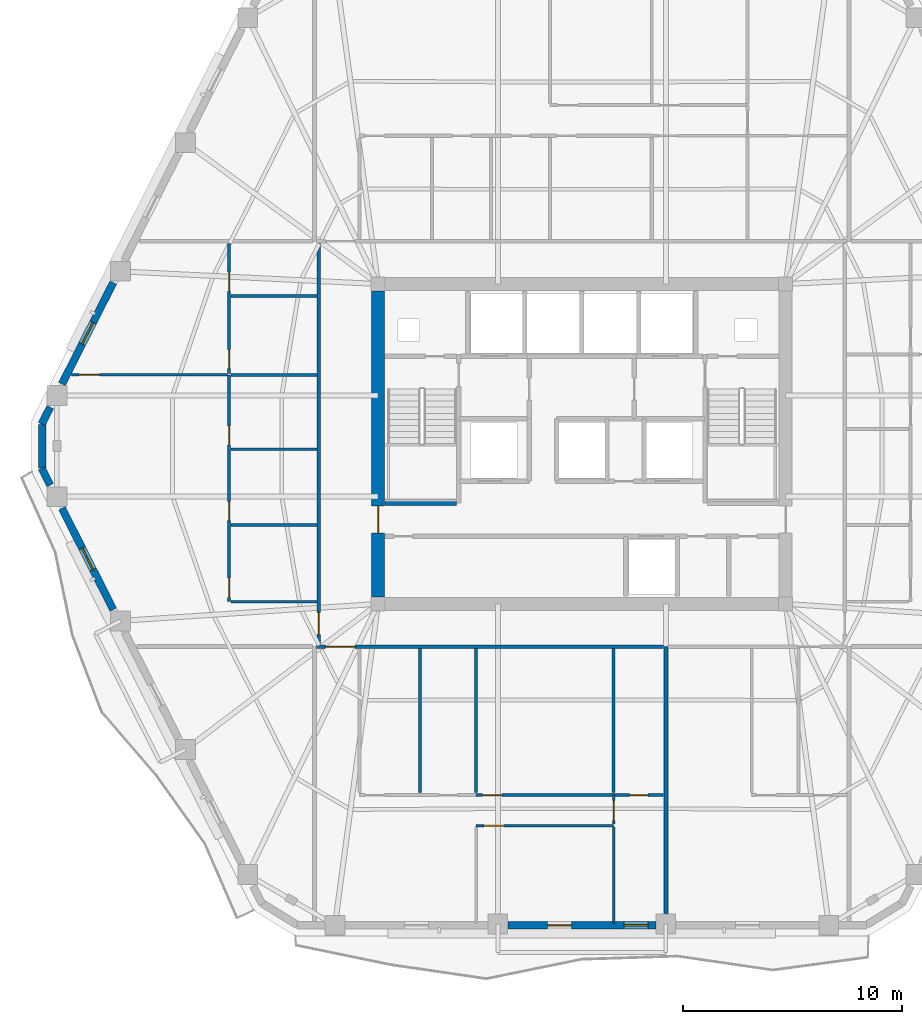
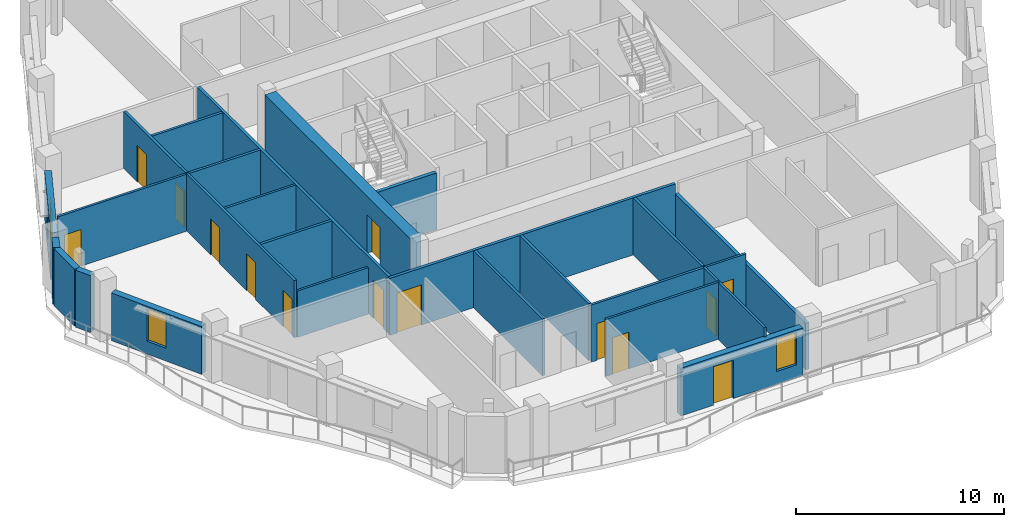
# One storey, part 4 of 12: 27 walls, 14 doors, 3 windows, 17 openings.
"""IFC4 building model written with IfcOpenShell, lengths in metres."""

from ifc_helpers import new_model, si_unit, direction, frame, frame_2d, origin, place, context, subcontext, project, spatial, rectangle, extrude, material, layer, layer_set, type_object, element, fill, save


model = new_model("IFC4")

# Units and contexts
model_context = context("Model", 3, precision=1e-05, world=origin(), true_north=direction((0.0, 1.0)))
body_context = subcontext(model_context, "Body", "Model", "MODEL_VIEW")
ifc_project = project(units=[si_unit("LENGTHUNIT", "METRE"), si_unit("AREAUNIT", "SQUARE_METRE"), si_unit("VOLUMEUNIT", "CUBIC_METRE"), si_unit("PLANEANGLEUNIT", "RADIAN"), si_unit("MASSUNIT", "GRAM", prefix="KILO")], contexts=[model_context])

# Site, building, storey
site_placement = place(None, origin())
site = spatial("IfcSite", under=ifc_project, at=site_placement, CompositionType="ELEMENT")
building_placement = place(site_placement, origin())
building = spatial("IfcBuilding", under=site, at=building_placement, Name="Cinnabar Lancet Tower", CompositionType="ELEMENT")
storey_placement = place(building_placement, frame((0.0, 0.0, 157.050048828125)))
storey = spatial("IfcBuildingStorey", under=building, at=storey_placement, Name="L41", CompositionType="ELEMENT", Elevation=157.050048828125)

# Wall, opening, door
ifc_material_1 = material(Name="Acoustic twin-stud gypsum partition", Category="gypsum")
ifc_layer_1 = layer(ifc_material_1, 0.159912109375)
ifc_layer_set_1 = layer_set([ifc_layer_1], Name="Acoustic twin-stud gypsum partition")
wall_type_1 = type_object("IfcWallType", Name="ARC-WL-CORR-160", PredefinedType="PARTITIONING", material=ifc_layer_set_1)
wall_1_placement = place(storey_placement, frame((20.294921875, 16.64990234375, 0.0), z_axis=(0.0, 0.0, 1.0), x_axis=(1.0, 0.0, 0.0)))
wall_1 = element("IfcWall", 1, at=wall_1_placement, inside=storey, type_object=wall_type_1, Name="L41 Unit S01 Corridor Wall", PredefinedType="PARTITIONING", context=body_context, shape_type="SweptSolid", body=[
    extrude(rectangle(XDim=15.842041015625, YDim=0.159912109375, at=frame_2d((7.9208984375, 0.0))), origin(), (0.0, 0.0, 1.0), 3.33984375),
])
opening_1_placement = place(wall_1_placement, frame((0.405029296875, 0.0, 0.0)))
opening_1 = element("IfcOpeningElement", 2, at=opening_1_placement, cuts=wall_1, Name="Opening UD-02", PredefinedType="OPENING", context=body_context, shape_type="SweptSolid", body=[
    extrude(rectangle(XDim=1.35009765625, YDim=2.35009765625, at=frame_2d((0.675048828125, 1.175048828125))), frame((0.0, 0.08984375, 0.0), z_axis=(0.0, -1.0, 0.0), x_axis=(1.0, 0.0, 0.0)), (0.0, 0.0, 1.0), 0.179931640625),
])
ifc_material_2 = material(Name="Double-leaf solid timber penthouse entrance door", Category="wood")
door_type_1 = type_object("IfcDoorType", Name="ARC-DR-UNIT-PH", OperationType="NOTDEFINED", PredefinedType="DOOR", material=ifc_material_2)
door_1_placement = place(opening_1_placement, origin())
door_1 = element("IfcDoor", 3, at=door_1_placement, inside=storey, type_object=door_type_1, Name="DR-L41-S01-ENT", OperationType="SINGLE_SWING_LEFT", OverallHeight=2.35009765625, OverallWidth=1.35009765625, PredefinedType="DOOR", context=body_context, shape_type="SweptSolid", body=[
    extrude(rectangle(XDim=1.35009765625, YDim=2.35009765625, at=frame_2d((0.675048828125, 1.175048828125))), frame((0.0, 0.02490234375, 0.0), z_axis=(0.0, -1.0, 0.0), x_axis=(1.0, 0.0, 0.0)), (0.0, 0.0, 1.0), 0.050048828125),
])
fill(opening_1, door_1)

wall_2_placement = place(storey_placement, frame((20.39990234375, 16.7451171875, 0.0), z_axis=(0.0, 0.0, 1.0), x_axis=(0.0, 1.0, 0.0)))
wall_2 = element("IfcWall", 4, at=wall_2_placement, inside=storey, type_object=wall_type_1, Name="UW-L41-W01-COR", PredefinedType="PARTITIONING", context=body_context, shape_type="SweptSolid", body=[
    extrude(rectangle(XDim=18.309814453125, YDim=0.159912109375, at=frame_2d((9.15478515625, 0.0))), origin(), (0.0, 0.0, 1.0), 3.33984375),
])
opening_2_placement = place(wall_2_placement, frame((0.449951171875, 0.0, 0.0)))
opening_2 = element("IfcOpeningElement", 5, at=opening_2_placement, cuts=wall_2, Name="Opening UD-01", PredefinedType="OPENING", context=body_context, shape_type="SweptSolid", body=[
    extrude(rectangle(XDim=1.02001953125, YDim=2.25, at=frame_2d((0.510009765625, 1.125))), frame((0.0, 0.08984375, 0.0), z_axis=(0.0, -1.0, 0.0), x_axis=(1.0, 0.0, 0.0)), (0.0, 0.0, 1.0), 0.179931640625),
])
ifc_material_3 = material(Name="Solid timber fire-rated apartment entrance door", Category="wood")
door_type_2 = type_object("IfcDoorType", Name="ARC-DR-UNIT", OperationType="NOTDEFINED", PredefinedType="DOOR", material=ifc_material_3)
door_2_placement = place(opening_2_placement, origin())
door_2 = element("IfcDoor", 6, at=door_2_placement, inside=storey, type_object=door_type_2, Name="DR-L41-W01-ENT", OperationType="SINGLE_SWING_LEFT", OverallHeight=2.25, OverallWidth=1.02001953125, PredefinedType="DOOR", context=body_context, shape_type="SweptSolid", body=[
    extrude(rectangle(XDim=1.02001953125, YDim=2.25, at=frame_2d((0.510009765625, 1.125))), frame((0.0, 0.02490234375, 0.0), z_axis=(0.0, -1.0, 0.0), x_axis=(1.0, 0.0, 0.0)), (0.0, 0.0, 1.0), 0.050048828125),
])
fill(opening_2, door_2)

# Walls
ifc_material_4 = material(Name="Fire-rated twin-frame acoustic drywall", Category="gypsum")
ifc_layer_2 = layer(ifc_material_4, 0.179931640625)
ifc_layer_set_2 = layer_set([ifc_layer_2], Name="Fire-rated twin-frame acoustic drywall")
wall_type_2 = type_object("IfcWallType", Name="ARC-WL-PARTY-180", PredefinedType="PARTITIONING", material=ifc_layer_set_2)
wall_3_placement = place(storey_placement, frame((36.23193359375, 4.10498046875, 0.0), z_axis=(0.0, 0.0, 1.0), x_axis=(0.0, 1.0, 0.0)))
element("IfcWall", 7, at=wall_3_placement, inside=storey, type_object=wall_type_2, Name="PW-L41-SPTY-362", PredefinedType="PARTITIONING", context=body_context, shape_type="SweptSolid", body=[
    extrude(rectangle(XDim=12.544921875, YDim=0.179931640625, at=frame_2d((6.2724609375, 0.0))), origin(), (0.0, 0.0, 1.0), 2.721923828125),
])
ifc_material_5 = material(Name="Autoclaved aerated concrete blockwork", Category="masonry")
ifc_layer_3 = layer(ifc_material_5, 0.199951171875)
ifc_layer_set_3 = layer_set([ifc_layer_3], Name="Autoclaved aerated concrete blockwork")
wall_type_3 = type_object("IfcWallType", Name="ARC-WL-SHAFT-200", PredefinedType="PLUMBINGWALL", material=ifc_layer_set_3)
wall_4_placement = place(storey_placement, frame((23.405029296875, 23.199951171875, 0.0), z_axis=(0.0, 0.0, 1.0), x_axis=(1.0, 0.0, 0.0)))
element("IfcWall", 8, at=wall_4_placement, inside=storey, type_object=wall_type_3, Name="CW-ST1S-L41", PredefinedType="PLUMBINGWALL", context=body_context, shape_type="SweptSolid", body=[
    extrude(rectangle(XDim=3.27001953125, YDim=0.199951171875, at=frame_2d((1.635009765625, 0.0))), origin(), (0.0, 0.0, 1.0), 3.33984375),
])

# Wall, opening, door
ifc_material_6 = material(Name="Gypsum plasterboard stud partition", Category="gypsum")
ifc_layer_4 = layer(ifc_material_6, 0.125)
ifc_layer_set_4 = layer_set([ifc_layer_4], Name="Gypsum plasterboard stud partition")
wall_type_4 = type_object("IfcWallType", Name="ARC-WL-UNIT-125", PredefinedType="PARTITIONING", material=ifc_layer_set_4)
wall_5_placement = place(storey_placement, frame((33.85009765625, 9.8759765625, 0.0), z_axis=(0.0, 0.0, 1.0), x_axis=(1.0, 0.0, 0.0)))
wall_5 = element("IfcWall", 9, at=wall_5_placement, inside=storey, type_object=wall_type_4, Name="UW-L41-S01-SP2", PredefinedType="PARTITIONING", context=body_context, shape_type="SweptSolid", body=[
    extrude(rectangle(XDim=2.286865234375, YDim=0.125, at=frame_2d((1.1435546875, 0.0))), origin(), (0.0, 0.0, 1.0), 3.33984375),
])
opening_3_placement = place(wall_5_placement, frame((0.718017578125, 0.0, 0.0)))
opening_3 = element("IfcOpeningElement", 10, at=opening_3_placement, cuts=wall_5, Name="Opening BD-01", PredefinedType="OPENING", context=body_context, shape_type="SweptSolid", body=[
    extrude(rectangle(XDim=0.860107421875, YDim=2.10009765625, at=frame_2d((0.43017578125, 1.050048828125))), frame((0.0, 0.072509765625, 0.0), z_axis=(0.0, -1.0, 0.0), x_axis=(1.0, 0.0, 0.0)), (0.0, 0.0, 1.0), 0.14501953125),
])
ifc_material_7 = material(Name="Moisture-resistant timber bathroom door", Category="wood")
door_type_3 = type_object("IfcDoorType", Name="ARC-DR-BATH", OperationType="NOTDEFINED", PredefinedType="DOOR", material=ifc_material_7)
door_3_placement = place(opening_3_placement, origin())
door_3 = element("IfcDoor", 11, at=door_3_placement, inside=storey, type_object=door_type_3, Name="DR-L41-S01-ENS", OperationType="SINGLE_SWING_LEFT", OverallHeight=2.10009765625, OverallWidth=0.860107421875, PredefinedType="DOOR", context=body_context, shape_type="SweptSolid", body=[
    extrude(rectangle(XDim=0.860107421875, YDim=2.10009765625, at=frame_2d((0.43017578125, 1.050048828125))), frame((0.0, 0.02490234375, 0.0), z_axis=(0.0, -1.0, 0.0), x_axis=(1.0, 0.0, 0.0)), (0.0, 0.0, 1.0), 0.050048828125),
])
fill(opening_3, door_3)

wall_6_placement = place(storey_placement, frame((27.574951171875, 8.47607421875, 0.0), z_axis=(0.0, 0.0, 1.0), x_axis=(1.0, 0.0, 0.0)))
wall_6 = element("IfcWall", 12, at=wall_6_placement, inside=storey, type_object=wall_type_4, Name="UW-L41-S01-HLN", PredefinedType="PARTITIONING", context=body_context, shape_type="SweptSolid", body=[
    extrude(rectangle(XDim=6.275146484375, YDim=0.125, at=frame_2d((3.1376953125, 0.0))), origin(), (0.0, 0.0, 1.0), 3.33984375),
])
opening_4_placement = place(wall_6_placement, frame((0.35009765625, 0.0, 0.0)))
opening_4 = element("IfcOpeningElement", 13, at=opening_4_placement, cuts=wall_6, Name="Opening RD-01", PredefinedType="OPENING", context=body_context, shape_type="SweptSolid", body=[
    extrude(rectangle(XDim=0.919921875, YDim=2.14990234375, at=frame_2d((0.4599609375, 1.074951171875))), frame((0.0, 0.072509765625, 0.0), z_axis=(0.0, -1.0, 0.0), x_axis=(1.0, 0.0, 0.0)), (0.0, 0.0, 1.0), 0.14501953125),
])
ifc_material_8 = material(Name="Engineered timber bedroom door", Category="wood")
door_type_4 = type_object("IfcDoorType", Name="ARC-DR-ROOM", OperationType="NOTDEFINED", PredefinedType="DOOR", material=ifc_material_8)
door_4_placement = place(opening_4_placement, origin())
door_4 = element("IfcDoor", 14, at=door_4_placement, inside=storey, type_object=door_type_4, Name="DR-L41-S01-BD2", OperationType="SINGLE_SWING_RIGHT", OverallHeight=2.14990234375, OverallWidth=0.919921875, PredefinedType="DOOR", context=body_context, shape_type="SweptSolid", body=[
    extrude(rectangle(XDim=0.919921875, YDim=2.14990234375, at=frame_2d((0.4599609375, 1.074951171875))), frame((0.0, 0.02490234375, 0.0), z_axis=(0.0, -1.0, 0.0), x_axis=(1.0, 0.0, 0.0)), (0.0, 0.0, 1.0), 0.050048828125),
])
fill(opening_4, door_4)

wall_7_placement = place(storey_placement, frame((33.85009765625, 8.5458984375, 0.0), z_axis=(0.0, 0.0, 1.0), x_axis=(0.0, 1.0, 0.0)))
wall_7 = element("IfcWall", 15, at=wall_7_placement, inside=storey, type_object=wall_type_4, Name="UW-L41-S01-MBE", PredefinedType="PARTITIONING", context=body_context, shape_type="SweptSolid", body=[
    extrude(rectangle(XDim=1.330078125, YDim=0.125, at=frame_2d((0.6650390625, 0.0))), origin(), (0.0, 0.0, 1.0), 3.33984375),
])
opening_5_placement = place(wall_7_placement, frame((0.159912109375, 0.0, 0.0)))
opening_5 = element("IfcOpeningElement", 16, at=opening_5_placement, cuts=wall_7, Name="Opening RD-01", PredefinedType="OPENING", context=body_context, shape_type="SweptSolid", body=[
    extrude(rectangle(XDim=0.919921875, YDim=2.14990234375, at=frame_2d((0.4599609375, 1.074951171875))), frame((0.0, 0.072509765625, 0.0), z_axis=(0.0, -1.0, 0.0), x_axis=(1.0, 0.0, 0.0)), (0.0, 0.0, 1.0), 0.14501953125),
])
door_5_placement = place(opening_5_placement, origin())
door_5 = element("IfcDoor", 17, at=door_5_placement, inside=storey, type_object=door_type_4, Name="DR-L41-S01-MBD", OperationType="SINGLE_SWING_RIGHT", OverallHeight=2.14990234375, OverallWidth=0.919921875, PredefinedType="DOOR", context=body_context, shape_type="SweptSolid", body=[
    extrude(rectangle(XDim=0.919921875, YDim=2.14990234375, at=frame_2d((0.4599609375, 1.074951171875))), frame((0.0, 0.02490234375, 0.0), z_axis=(0.0, -1.0, 0.0), x_axis=(1.0, 0.0, 0.0)), (0.0, 0.0, 1.0), 0.050048828125),
])
fill(opening_5, door_5)

# Walls
wall_8_placement = place(storey_placement, frame((33.85009765625, 4.014892578125, 0.0), z_axis=(0.0, 0.0, 1.0), x_axis=(0.0, 1.0, 0.0)))
element("IfcWall", 18, at=wall_8_placement, inside=storey, type_object=wall_type_4, Name="UW-L41-S01-MB2W", PredefinedType="PARTITIONING", context=body_context, shape_type="SweptSolid", body=[
    extrude(rectangle(XDim=4.39599609375, YDim=0.125, at=frame_2d((2.197998046875, 0.0))), origin(), (0.0, 0.0, 1.0), 3.33984375),
])
wall_9_placement = place(storey_placement, frame((16.385009765625, 18.699951171875, 0.0), z_axis=(0.0, 0.0, 1.0), x_axis=(1.0, 0.0, 0.0)))
element("IfcWall", 19, at=wall_9_placement, inside=storey, type_object=wall_type_4, Name="UW-L41-W01-FOYN", PredefinedType="PARTITIONING", context=body_context, shape_type="SweptSolid", body=[
    extrude(rectangle(XDim=3.929931640625, YDim=0.125, at=frame_2d((1.96484375, 0.0))), origin(), (0.0, 0.0, 1.0), 2.721923828125),
])

# Wall, opening, door
wall_10_placement = place(storey_placement, frame((9.111083984375, 29.054931640625, 0.0), z_axis=(0.0, 0.0, 1.0), x_axis=(1.0, 0.0, 0.0)))
wall_10 = element("IfcWall", 20, at=wall_10_placement, inside=storey, type_object=wall_type_4, Name="UW-L41-W01-MBN", PredefinedType="PARTITIONING", context=body_context, shape_type="SweptSolid", body=[
    extrude(rectangle(XDim=7.114013671875, YDim=0.125, at=frame_2d((3.55712890625, 0.0))), origin(), (0.0, 0.0, 1.0), 3.33984375),
])
opening_6_placement = place(wall_10_placement, frame((0.35009765625, 0.0, 0.0)))
opening_6 = element("IfcOpeningElement", 21, at=opening_6_placement, cuts=wall_10, Name="Opening RD-01", PredefinedType="OPENING", context=body_context, shape_type="SweptSolid", body=[
    extrude(rectangle(XDim=0.919921875, YDim=2.14990234375, at=frame_2d((0.4599609375, 1.074951171875))), frame((0.0, 0.072509765625, 0.0), z_axis=(0.0, -1.0, 0.0), x_axis=(1.0, 0.0, 0.0)), (0.0, 0.0, 1.0), 0.14501953125),
])
door_6_placement = place(opening_6_placement, origin())
door_6 = element("IfcDoor", 22, at=door_6_placement, inside=storey, type_object=door_type_4, Name="DR-L41-W01-MBD", OperationType="SINGLE_SWING_LEFT", OverallHeight=2.14990234375, OverallWidth=0.919921875, PredefinedType="DOOR", context=body_context, shape_type="SweptSolid", body=[
    extrude(rectangle(XDim=0.919921875, YDim=2.14990234375, at=frame_2d((0.4599609375, 1.074951171875))), frame((0.0, 0.02490234375, 0.0), z_axis=(0.0, -1.0, 0.0), x_axis=(1.0, 0.0, 0.0)), (0.0, 0.0, 1.0), 0.050048828125),
])
fill(opening_6, door_6)

# Wall
wall_11_placement = place(storey_placement, frame((16.385009765625, 25.655029296875, 0.0), z_axis=(0.0, 0.0, 1.0), x_axis=(1.0, 0.0, 0.0)))
element("IfcWall", 23, at=wall_11_placement, inside=storey, type_object=wall_type_4, Name="UW-L41-W01-UDV", PredefinedType="PARTITIONING", context=body_context, shape_type="SweptSolid", body=[
    extrude(rectangle(XDim=3.929931640625, YDim=0.125, at=frame_2d((1.96484375, 0.0))), origin(), (0.0, 0.0, 1.0), 3.33984375),
])

# Wall, opening, door
ifc_material_9 = material(Name="Moisture-resistant cement-board plumbing wall", Category="masonry")
ifc_layer_5 = layer(ifc_material_9, 0.139892578125)
ifc_layer_set_5 = layer_set([ifc_layer_5], Name="Moisture-resistant cement-board plumbing wall")
wall_type_5 = type_object("IfcWallType", Name="ARC-WL-WET-140", PredefinedType="PLUMBINGWALL", material=ifc_layer_set_5)
wall_12_placement = place(storey_placement, frame((27.574951171875, 9.8759765625, 0.0), z_axis=(0.0, 0.0, 1.0), x_axis=(1.0, 0.0, 0.0)))
wall_12 = element("IfcWall", 24, at=wall_12_placement, inside=storey, type_object=wall_type_5, Name="UW-L41-S01-SPM", PredefinedType="PLUMBINGWALL", context=body_context, shape_type="SweptSolid", body=[
    extrude(rectangle(XDim=6.275146484375, YDim=0.139892578125, at=frame_2d((3.1376953125, 0.0))), origin(), (0.0, 0.0, 1.0), 3.33984375),
])
opening_7_placement = place(wall_12_placement, frame((0.300048828125, 0.0, 0.0)))
opening_7 = element("IfcOpeningElement", 25, at=opening_7_placement, cuts=wall_12, Name="Opening RD-02", PredefinedType="OPENING", context=body_context, shape_type="SweptSolid", body=[
    extrude(rectangle(XDim=0.8798828125, YDim=2.14990234375, at=frame_2d((0.43994140625, 1.074951171875))), frame((0.0, 0.079833984375, 0.0), z_axis=(0.0, -1.0, 0.0), x_axis=(1.0, 0.0, 0.0)), (0.0, 0.0, 1.0), 0.159912109375),
])
ifc_material_10 = material(Name="Engineered timber study door", Category="wood")
door_type_5 = type_object("IfcDoorType", Name="ARC-DR-STUDY", OperationType="NOTDEFINED", PredefinedType="DOOR", material=ifc_material_10)
door_7_placement = place(opening_7_placement, origin())
door_7 = element("IfcDoor", 26, at=door_7_placement, inside=storey, type_object=door_type_5, Name="DR-L41-S01-UTL", OperationType="SINGLE_SWING_LEFT", OverallHeight=2.14990234375, OverallWidth=0.8798828125, PredefinedType="DOOR", context=body_context, shape_type="SweptSolid", body=[
    extrude(rectangle(XDim=0.8798828125, YDim=2.14990234375, at=frame_2d((0.43994140625, 1.074951171875))), frame((0.0, 0.02490234375, 0.0), z_axis=(0.0, -1.0, 0.0), x_axis=(1.0, 0.0, 0.0)), (0.0, 0.0, 1.0), 0.050048828125),
])
fill(opening_7, door_7)

# Walls
for number, where, z_axis, x_axis, name in (
    (27, (25.01904296875, 9.98095703125, 0.0), (0.0, 0.0, 1.0), (0.0, 1.0, 0.0), "UW-L41-S01-KDV"),
    (28, (27.574951171875, 9.98095703125, 0.0), (0.0, 0.0, 1.0), (0.0, 1.0, 0.0), "UW-L41-S01-ENSW"),
    (29, (33.85009765625, 9.98095703125, 0.0), (0.0, 0.0, 1.0), (0.0, 1.0, 0.0), "UW-L41-S01-ENSE"),
):
    element("IfcWall", number, at=place(storey_placement, frame(where, z_axis=z_axis, x_axis=x_axis)), inside=storey, type_object=wall_type_5, Name=name, PredefinedType="PLUMBINGWALL", context=body_context, shape_type="SweptSolid", body=[
        extrude(rectangle(XDim=6.583984375, YDim=0.139892578125, at=frame_2d((3.2919921875, 0.0))), origin(), (0.0, 0.0, 1.0), 3.33984375),
    ])

# Wall, openings, doors
wall_13_placement = place(storey_placement, frame((16.300048828125, 18.699951171875, 0.0), z_axis=(0.0, 0.0, 1.0), x_axis=(0.0, 1.0, 0.0)))
wall_13 = element("IfcWall", 30, at=wall_13_placement, inside=storey, type_object=wall_type_5, Name="UW-L41-W01-SPL", PredefinedType="PLUMBINGWALL", context=body_context, shape_type="SweptSolid", body=[
    extrude(rectangle(XDim=10.35498046875, YDim=0.139892578125, at=frame_2d((5.177490234375, 0.0))), origin(), (0.0, 0.0, 1.0), 3.33984375),
])
opening_8_placement = place(wall_13_placement, frame((0.199951171875, 0.0, 0.0)))
opening_8 = element("IfcOpeningElement", 31, at=opening_8_placement, cuts=wall_13, Name="Opening RD-02", PredefinedType="OPENING", context=body_context, shape_type="SweptSolid", body=[
    extrude(rectangle(XDim=0.8798828125, YDim=2.14990234375, at=frame_2d((0.43994140625, 1.074951171875))), frame((0.0, 0.079833984375, 0.0), z_axis=(0.0, -1.0, 0.0), x_axis=(1.0, 0.0, 0.0)), (0.0, 0.0, 1.0), 0.159912109375),
])
opening_9_placement = place(wall_13_placement, frame((3.699951171875, 0.0, 0.0)))
opening_9 = element("IfcOpeningElement", 32, at=opening_9_placement, cuts=wall_13, Name="Opening RD-02", PredefinedType="OPENING", context=body_context, shape_type="SweptSolid", body=[
    extrude(rectangle(XDim=0.8798828125, YDim=2.14990234375, at=frame_2d((0.43994140625, 1.074951171875))), frame((0.0, 0.079833984375, 0.0), z_axis=(0.0, -1.0, 0.0), x_axis=(1.0, 0.0, 0.0)), (0.0, 0.0, 1.0), 0.159912109375),
])
opening_10_placement = place(wall_13_placement, frame((7.155029296875, 0.0, 0.0)))
opening_10 = element("IfcOpeningElement", 33, at=opening_10_placement, cuts=wall_13, Name="Opening BD-01", PredefinedType="OPENING", context=body_context, shape_type="SweptSolid", body=[
    extrude(rectangle(XDim=0.860107421875, YDim=2.10009765625, at=frame_2d((0.43017578125, 1.050048828125))), frame((0.0, 0.079833984375, 0.0), z_axis=(0.0, -1.0, 0.0), x_axis=(1.0, 0.0, 0.0)), (0.0, 0.0, 1.0), 0.159912109375),
])
door_8_placement = place(opening_10_placement, origin())
door_8 = element("IfcDoor", 34, at=door_8_placement, inside=storey, type_object=door_type_3, Name="DR-L41-W01-BTH", OperationType="SINGLE_SWING_RIGHT", OverallHeight=2.10009765625, OverallWidth=0.860107421875, PredefinedType="DOOR", context=body_context, shape_type="SweptSolid", body=[
    extrude(rectangle(XDim=0.860107421875, YDim=2.10009765625, at=frame_2d((0.43017578125, 1.050048828125))), frame((0.0, 0.02490234375, 0.0), z_axis=(0.0, -1.0, 0.0), x_axis=(1.0, 0.0, 0.0)), (0.0, 0.0, 1.0), 0.050048828125),
])
fill(opening_10, door_8)
door_9_placement = place(opening_8_placement, origin())
door_9 = element("IfcDoor", 35, at=door_9_placement, inside=storey, type_object=door_type_5, Name="DR-L41-W01-KIT", OperationType="SINGLE_SWING_RIGHT", OverallHeight=2.14990234375, OverallWidth=0.8798828125, PredefinedType="DOOR", context=body_context, shape_type="SweptSolid", body=[
    extrude(rectangle(XDim=0.8798828125, YDim=2.14990234375, at=frame_2d((0.43994140625, 1.074951171875))), frame((0.0, 0.02490234375, 0.0), z_axis=(0.0, -1.0, 0.0), x_axis=(1.0, 0.0, 0.0)), (0.0, 0.0, 1.0), 0.050048828125),
])
fill(opening_8, door_9)
door_10_placement = place(opening_9_placement, origin())
door_10 = element("IfcDoor", 36, at=door_10_placement, inside=storey, type_object=door_type_5, Name="DR-L41-W01-UTL", OperationType="SINGLE_SWING_LEFT", OverallHeight=2.14990234375, OverallWidth=0.8798828125, PredefinedType="DOOR", context=body_context, shape_type="SweptSolid", body=[
    extrude(rectangle(XDim=0.8798828125, YDim=2.14990234375, at=frame_2d((0.43994140625, 1.074951171875))), frame((0.0, 0.02490234375, 0.0), z_axis=(0.0, -1.0, 0.0), x_axis=(1.0, 0.0, 0.0)), (0.0, 0.0, 1.0), 0.050048828125),
])
fill(opening_9, door_10)

wall_14_placement = place(storey_placement, frame((16.300048828125, 29.125, 0.0), z_axis=(0.0, 0.0, 1.0), x_axis=(0.0, 1.0, 0.0)))
wall_14 = element("IfcWall", 37, at=wall_14_placement, inside=storey, type_object=wall_type_5, Name="UW-L41-W01-SPM", PredefinedType="PLUMBINGWALL", context=body_context, shape_type="SweptSolid", body=[
    extrude(rectangle(XDim=5.929931640625, YDim=0.139892578125, at=frame_2d((2.96484375, 0.0))), origin(), (0.0, 0.0, 1.0), 3.33984375),
])
opening_11_placement = place(wall_14_placement, frame((0.219970703125, 0.0, 0.0)))
opening_11 = element("IfcOpeningElement", 38, at=opening_11_placement, cuts=wall_14, Name="Opening BD-01", PredefinedType="OPENING", context=body_context, shape_type="SweptSolid", body=[
    extrude(rectangle(XDim=0.860107421875, YDim=2.10009765625, at=frame_2d((0.43017578125, 1.050048828125))), frame((0.0, 0.079833984375, 0.0), z_axis=(0.0, -1.0, 0.0), x_axis=(1.0, 0.0, 0.0)), (0.0, 0.0, 1.0), 0.159912109375),
])
opening_12_placement = place(wall_14_placement, frame((3.739990234375, 0.0, 0.0)))
opening_12 = element("IfcOpeningElement", 39, at=opening_12_placement, cuts=wall_14, Name="Opening RD-02", PredefinedType="OPENING", context=body_context, shape_type="SweptSolid", body=[
    extrude(rectangle(XDim=0.8798828125, YDim=2.14990234375, at=frame_2d((0.43994140625, 1.074951171875))), frame((0.0, 0.079833984375, 0.0), z_axis=(0.0, -1.0, 0.0), x_axis=(1.0, 0.0, 0.0)), (0.0, 0.0, 1.0), 0.159912109375),
])
door_11_placement = place(opening_11_placement, origin())
door_11 = element("IfcDoor", 40, at=door_11_placement, inside=storey, type_object=door_type_3, Name="DR-L41-W01-ENS", OperationType="SINGLE_SWING_LEFT", OverallHeight=2.10009765625, OverallWidth=0.860107421875, PredefinedType="DOOR", context=body_context, shape_type="SweptSolid", body=[
    extrude(rectangle(XDim=0.860107421875, YDim=2.10009765625, at=frame_2d((0.43017578125, 1.050048828125))), frame((0.0, 0.02490234375, 0.0), z_axis=(0.0, -1.0, 0.0), x_axis=(1.0, 0.0, 0.0)), (0.0, 0.0, 1.0), 0.050048828125),
])
fill(opening_11, door_11)
door_12_placement = place(opening_12_placement, origin())
door_12 = element("IfcDoor", 41, at=door_12_placement, inside=storey, type_object=door_type_5, Name="DR-L41-W01-EWDR", OperationType="SINGLE_SWING_RIGHT", OverallHeight=2.14990234375, OverallWidth=0.8798828125, PredefinedType="DOOR", context=body_context, shape_type="SweptSolid", body=[
    extrude(rectangle(XDim=0.8798828125, YDim=2.14990234375, at=frame_2d((0.43994140625, 1.074951171875))), frame((0.0, 0.02490234375, 0.0), z_axis=(0.0, -1.0, 0.0), x_axis=(1.0, 0.0, 0.0)), (0.0, 0.0, 1.0), 0.050048828125),
])
fill(opening_12, door_12)

# Walls
for number, where, z_axis, x_axis, name in (
    (42, (16.385009765625, 29.054931640625, 0.0), (0.0, 0.0, 1.0), (1.0, 0.0, 0.0), "UW-L41-W01-ENSN"),
    (43, (16.385009765625, 22.199951171875, 0.0), (0.0, 0.0, 1.0), (1.0, 0.0, 0.0), "UW-L41-W01-KDV"),
    (44, (16.385009765625, 32.64501953125, 0.0), (0.0, 0.0, 1.0), (1.0, 0.0, 0.0), "UW-L41-W01-EWDV"),
):
    element("IfcWall", number, at=place(storey_placement, frame(where, z_axis=z_axis, x_axis=x_axis)), inside=storey, type_object=wall_type_5, Name=name, PredefinedType="PLUMBINGWALL", context=body_context, shape_type="SweptSolid", body=[
        extrude(rectangle(XDim=3.929931640625, YDim=0.139892578125, at=frame_2d((1.96484375, 0.0))), origin(), (0.0, 0.0, 1.0), 3.33984375),
    ])
ifc_material_11 = material(Name="Cinnabar red clay brick", Category="masonry")
ifc_layer_6 = layer(ifc_material_11, 0.340087890625)
ifc_layer_set_6 = layer_set([ifc_layer_6], Name="Cinnabar red clay brick")
wall_type_6 = type_object("IfcWallType", Name="ENV-WL-BRK-RED-340", PredefinedType="STANDARD", material=ifc_layer_set_6)
wall_15_placement = place(storey_placement, frame((7.76708984375, 26.797119140625, 0.0), z_axis=(0.0, 0.0, 1.0), x_axis=(0.0, -1.0, 0.0)))
element("IfcWall", 45, at=wall_15_placement, inside=storey, type_object=wall_type_6, Name="L41 Chamfered Corner Brick Pier 6.1", PredefinedType="STANDARD", context=body_context, shape_type="SweptSolid", body=[
    extrude(rectangle(XDim=1.994140625, YDim=0.340087890625, at=frame_2d((0.9970703125, 0.0))), origin(), (0.0, 0.0, 1.0), 3.33984375),
])

# Wall, openings, door, window
wall_16_placement = place(storey_placement, frame((29.02197265625, 3.929931640625, 0.0), z_axis=(0.0, 0.0, 1.0), x_axis=(1.0, 0.0, 0.0)))
wall_16 = element("IfcWall", 46, at=wall_16_placement, inside=storey, type_object=wall_type_6, Name="L41 Face 1 Masonry Bay Wall 3", PredefinedType="STANDARD", context=body_context, shape_type="SweptSolid", body=[
    extrude(rectangle(XDim=6.756103515625, YDim=0.340087890625, at=frame_2d((3.3779296875, 0.0))), origin(), (0.0, 0.0, 1.0), 2.796875),
])
opening_13_placement = place(wall_16_placement, frame((1.81298828125, 0.0, 0.0)))
opening_13 = element("IfcOpeningElement", 47, at=opening_13_placement, cuts=wall_16, Name="Opening TD-01", PredefinedType="OPENING", context=body_context, shape_type="SweptSolid", body=[
    extrude(rectangle(XDim=1.10009765625, YDim=2.25, at=frame_2d((0.550048828125, 1.125))), frame((0.0, 0.179931640625, 0.0), z_axis=(0.0, -1.0, 0.0), x_axis=(1.0, 0.0, 0.0)), (0.0, 0.0, 1.0), 0.360107421875),
])
opening_14_placement = place(wall_16_placement, frame((5.298095703125, 0.0, 0.75)))
opening_14 = element("IfcOpeningElement", 48, at=opening_14_placement, cuts=wall_16, Name="Opening WN-04", PredefinedType="OPENING", context=body_context, shape_type="SweptSolid", body=[
    extrude(rectangle(XDim=1.10009765625, YDim=1.89697265625, at=frame_2d((0.550048828125, 0.948486328125))), frame((0.0, 0.179931640625, 0.0), z_axis=(0.0, -1.0, 0.0), x_axis=(1.0, 0.0, 0.0)), (0.0, 0.0, 1.0), 0.360107421875),
])
ifc_material_12 = material(Name="Thermally broken low-E glazed balcony terrace door", Category="wood")
door_type_6 = type_object("IfcDoorType", Name="ARC-DR-BALC", OperationType="NOTDEFINED", PredefinedType="DOOR", material=ifc_material_12)
door_13_placement = place(opening_13_placement, origin())
door_13 = element("IfcDoor", 49, at=door_13_placement, inside=storey, type_object=door_type_6, Name="L41 Face 1 Glazed Terrace Door", OperationType="SINGLE_SWING_LEFT", OverallHeight=2.25, OverallWidth=1.10009765625, PredefinedType="DOOR", context=body_context, shape_type="SweptSolid", body=[
    extrude(rectangle(XDim=1.10009765625, YDim=2.25, at=frame_2d((0.550048828125, 1.125))), frame((0.0, 0.02490234375, 0.0), z_axis=(0.0, -1.0, 0.0), x_axis=(1.0, 0.0, 0.0)), (0.0, 0.0, 1.0), 0.050048828125),
])
fill(opening_13, door_13)
ifc_material_13 = material(Name="Thermally broken bronze-anodized aluminium tall lancet window", Category="aluminium")
window_type = type_object("IfcWindowType", Name="ENV-WN-LANCET-1100", PartitioningType="SINGLE_PANEL", PredefinedType="WINDOW", material=ifc_material_13)
window_1_placement = place(opening_14_placement, origin())
window_1 = element("IfcWindow", 50, at=window_1_placement, inside=storey, type_object=window_type, Name="L41 Split-Bay Gothic Lancet Window 116", OverallHeight=1.89697265625, OverallWidth=1.10009765625, PartitioningType="SINGLE_PANEL", PredefinedType="WINDOW", context=body_context, shape_type="SweptSolid", body=[
    extrude(rectangle(XDim=1.10009765625, YDim=1.89697265625, at=frame_2d((0.550048828125, 0.948486328125))), frame((0.0, 0.030029296875, 0.0), z_axis=(0.0, -1.0, 0.0), x_axis=(1.0, 0.0, 0.0)), (0.0, 0.0, 1.0), 0.06005859375),
])
fill(opening_14, window_1)

# Wall, opening, window
wall_17_placement = place(storey_placement, frame((11.013916015625, 33.261962890625, 0.0), z_axis=(0.0, 0.0, 1.0), x_axis=(-0.451506699894, -0.892267728852, 0.0)))
wall_17 = element("IfcWall", 51, at=wall_17_placement, inside=storey, type_object=wall_type_6, Name="L41 Face 5 Masonry Bay Wall 4", PredefinedType="STANDARD", context=body_context, shape_type="SweptSolid", body=[
    extrude(rectangle(XDim=5.18017578125, YDim=0.340087890625, at=frame_2d((2.590087890625, 0.0))), origin(), (0.0, 0.0, 1.0), 2.796875),
])
opening_15_placement = place(wall_17_placement, frame((2.0400390625, 0.0, 0.75)))
opening_15 = element("IfcOpeningElement", 52, at=opening_15_placement, cuts=wall_17, Name="Opening WN-04", PredefinedType="OPENING", context=body_context, shape_type="SweptSolid", body=[
    extrude(rectangle(XDim=1.10009765625, YDim=1.89697265625, at=frame_2d((0.550048828125, 0.948486328125))), frame((0.0, 0.179931640625, 0.0), z_axis=(0.0, -1.0, 0.0), x_axis=(1.0, 0.0, 0.0)), (0.0, 0.0, 1.0), 0.360107421875),
])
window_2_placement = place(opening_15_placement, origin())
window_2 = element("IfcWindow", 53, at=window_2_placement, inside=storey, type_object=window_type, Name="L41 Face 5 Gothic Lancet Window 4", OverallHeight=1.89697265625, OverallWidth=1.10009765625, PartitioningType="SINGLE_PANEL", PredefinedType="WINDOW", context=body_context, shape_type="SweptSolid", body=[
    extrude(rectangle(XDim=1.10009765625, YDim=1.89697265625, at=frame_2d((0.550048828125, 0.948486328125))), frame((0.0, 0.030029296875, 0.0), z_axis=(0.0, -1.0, 0.0), x_axis=(1.0, 0.0, 0.0)), (0.0, 0.0, 1.0), 0.06005859375),
])
fill(opening_15, window_2)

# Walls
wall_18_placement = place(storey_placement, frame((8.138916015625, 27.580078125, 0.0), z_axis=(0.0, 0.0, 1.0), x_axis=(-0.451586578297, -0.892227304168, 0.0)))
element("IfcWall", 54, at=wall_18_placement, inside=storey, type_object=wall_type_6, Name="L41 Face 5 Masonry Bay Wall 5", PredefinedType="STANDARD", context=body_context, shape_type="SweptSolid", body=[
    extrude(rectangle(XDim=0.869873046875, YDim=0.340087890625, at=frame_2d((0.43505859375, 0.0))), origin(), (0.0, 0.0, 1.0), 3.33984375),
])
wall_19_placement = place(storey_placement, frame((7.74609375, 24.7958984375, 0.0), z_axis=(0.0, 0.0, 1.0), x_axis=(0.451699687084, -0.892170046957, 0.0)))
element("IfcWall", 55, at=wall_19_placement, inside=storey, type_object=wall_type_6, Name="L41 Face 6 Masonry Bay Wall 1", PredefinedType="STANDARD", context=body_context, shape_type="SweptSolid", body=[
    extrude(rectangle(XDim=0.86962890625, YDim=0.340087890625, at=frame_2d((0.434814453125, 0.0))), origin(), (0.0, 0.0, 1.0), 3.33984375),
])

# Wall, opening, window
wall_20_placement = place(storey_placement, frame((8.675048828125, 22.9599609375, 0.0), z_axis=(0.0, 0.0, 1.0), x_axis=(0.451506699894, -0.892267728852, 0.0)))
wall_20 = element("IfcWall", 56, at=wall_20_placement, inside=storey, type_object=wall_type_6, Name="L41 Face 6 Masonry Bay Wall 2", PredefinedType="STANDARD", context=body_context, shape_type="SweptSolid", body=[
    extrude(rectangle(XDim=5.18017578125, YDim=0.340087890625, at=frame_2d((2.590087890625, 0.0))), origin(), (0.0, 0.0, 1.0), 2.796875),
])
opening_16_placement = place(wall_20_placement, frame((2.0400390625, 0.0, 0.75)))
opening_16 = element("IfcOpeningElement", 57, at=opening_16_placement, cuts=wall_20, Name="Opening WN-04", PredefinedType="OPENING", context=body_context, shape_type="SweptSolid", body=[
    extrude(rectangle(XDim=1.10009765625, YDim=1.89697265625, at=frame_2d((0.550048828125, 0.948486328125))), frame((0.0, 0.179931640625, 0.0), z_axis=(0.0, -1.0, 0.0), x_axis=(1.0, 0.0, 0.0)), (0.0, 0.0, 1.0), 0.360107421875),
])
window_3_placement = place(opening_16_placement, origin())
window_3 = element("IfcWindow", 58, at=window_3_placement, inside=storey, type_object=window_type, Name="L41 Face 6 Gothic Lancet Window 2", OverallHeight=1.89697265625, OverallWidth=1.10009765625, PartitioningType="SINGLE_PANEL", PredefinedType="WINDOW", context=body_context, shape_type="SweptSolid", body=[
    extrude(rectangle(XDim=1.10009765625, YDim=1.89697265625, at=frame_2d((0.550048828125, 0.948486328125))), frame((0.0, 0.030029296875, 0.0), z_axis=(0.0, -1.0, 0.0), x_axis=(1.0, 0.0, 0.0)), (0.0, 0.0, 1.0), 0.06005859375),
])
fill(opening_16, window_3)

# Wall, opening, door
ifc_material_14 = material(Name="Concrete C60/75", Category="concrete")
ifc_layer_7 = layer(ifc_material_14, 0.60009765625)
ifc_layer_set_7 = layer_set([ifc_layer_7], Name="Concrete C60/75")
wall_type_7 = type_object("IfcWallType", Name="STR-WL-CORE-600", PredefinedType="SHEAR", material=ifc_layer_set_7)
wall_21_placement = place(storey_placement, frame((23.10009765625, 18.925048828125, 0.0), z_axis=(0.0, 0.0, 1.0), x_axis=(0.0, 1.0, 0.0)))
wall_21 = element("IfcWall", 59, at=wall_21_placement, inside=storey, type_object=wall_type_7, Name="L41 Core Shear Wall W", PredefinedType="SHEAR", context=body_context, shape_type="SweptSolid", body=[
    extrude(rectangle(XDim=13.949951171875, YDim=0.60009765625, at=frame_2d((6.97509765625, 0.0))), origin(), (0.0, 0.0, 1.0), 3.33984375),
])
opening_17_placement = place(wall_21_placement, frame((2.9150390625, 0.0, 0.0)))
opening_17 = element("IfcOpeningElement", 60, at=opening_17_placement, cuts=wall_21, Name="Opening FD-02", PredefinedType="OPENING", context=body_context, shape_type="SweptSolid", body=[
    extrude(rectangle(XDim=1.219970703125, YDim=2.25, at=frame_2d((0.60986328125, 1.125))), frame((0.0, 0.31005859375, 0.0), z_axis=(0.0, -1.0, 0.0), x_axis=(1.0, 0.0, 0.0)), (0.0, 0.0, 1.0), 0.6201171875),
])
ifc_material_15 = material(Name="Fire-rated double-vision core portal door", Category="wood")
door_type_7 = type_object("IfcDoorType", Name="ARC-DR-CPORT", OperationType="NOTDEFINED", PredefinedType="DOOR", material=ifc_material_15)
door_14_placement = place(opening_17_placement, origin())
door_14 = element("IfcDoor", 61, at=door_14_placement, inside=storey, type_object=door_type_7, Name="L41 West Core Lobby Fire Door", OperationType="SINGLE_SWING_RIGHT", OverallHeight=2.25, OverallWidth=1.219970703125, PredefinedType="DOOR", context=body_context, shape_type="SweptSolid", body=[
    extrude(rectangle(XDim=1.219970703125, YDim=2.25, at=frame_2d((0.60986328125, 1.125))), frame((0.0, 0.02490234375, 0.0), z_axis=(0.0, -1.0, 0.0), x_axis=(1.0, 0.0, 0.0)), (0.0, 0.0, 1.0), 0.050048828125),
])
fill(opening_17, door_14)

save(model, "model.ifc")
